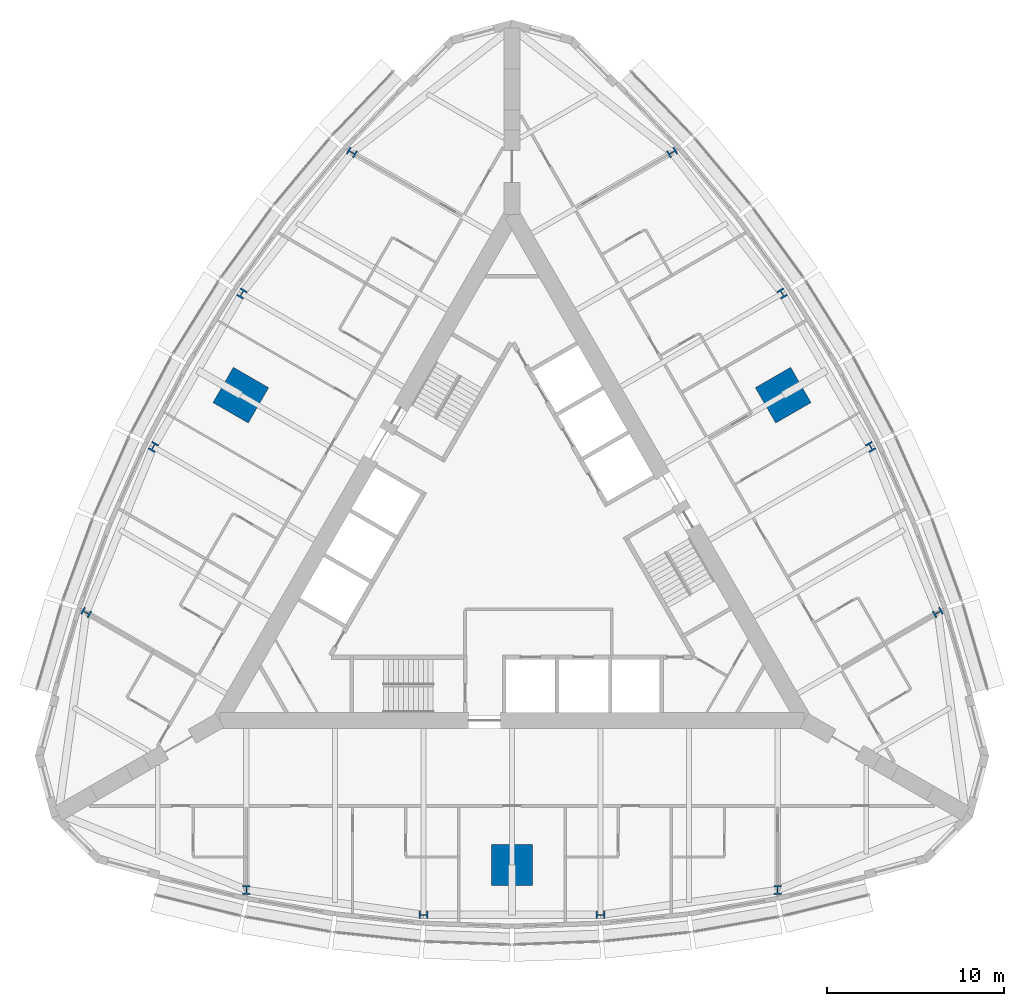
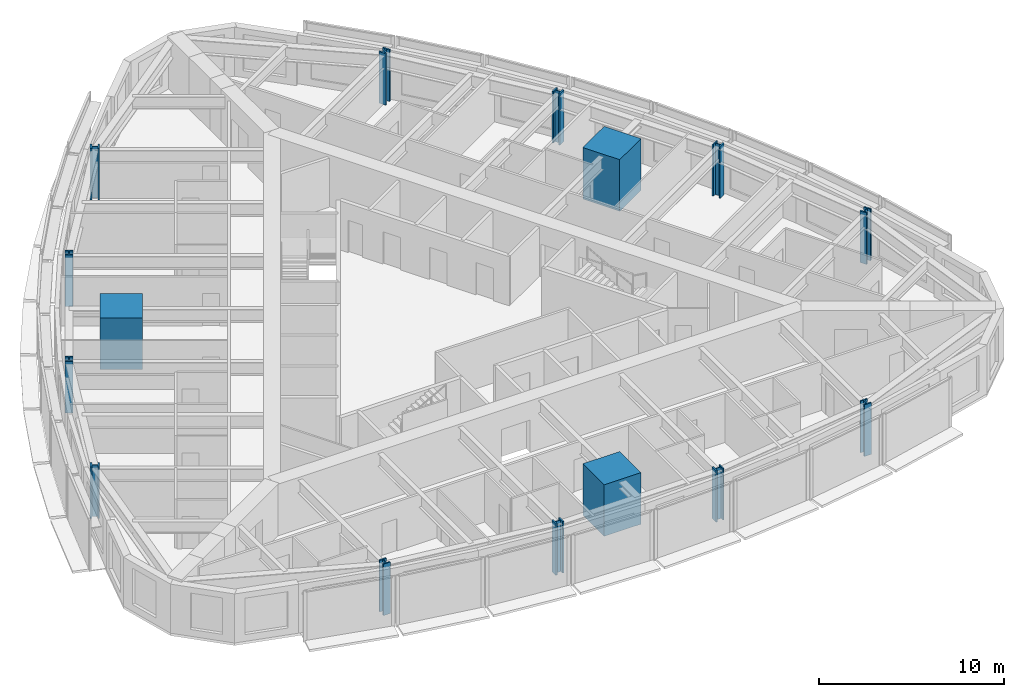
# One storey, part 1 of 14: 15 columns.
"""IFC4 building model written with IfcOpenShell, lengths in metres."""

from ifc_helpers import new_model, si_unit, direction, frame, origin, origin_2d, place, context, subcontext, project, spatial, rectangle, i_section, extrude, material, material_profile, profile_set, type_object, element, save


model = new_model("IFC4")

# Units and contexts
model_context = context("Model", 3, precision=1e-05, world=origin(), true_north=direction((0.0, 1.0)))
body_context = subcontext(model_context, "Body", "Model", "MODEL_VIEW")
ifc_project = project(units=[si_unit("LENGTHUNIT", "METRE"), si_unit("AREAUNIT", "SQUARE_METRE"), si_unit("VOLUMEUNIT", "CUBIC_METRE"), si_unit("PLANEANGLEUNIT", "RADIAN"), si_unit("MASSUNIT", "GRAM", prefix="KILO")], contexts=[model_context])

# Site, building, storey
site_placement = place(None, origin())
site = spatial("IfcSite", under=ifc_project, at=site_placement, CompositionType="ELEMENT")
building_placement = place(site_placement, origin())
building = spatial("IfcBuilding", under=site, at=building_placement, Name="Trikona Tower", CompositionType="ELEMENT")
storey_placement = place(building_placement, frame((0.0, 0.0, 165.699951171875)))
storey = spatial("IfcBuildingStorey", under=building, at=storey_placement, Name="L44", CompositionType="ELEMENT", Elevation=165.699951171875)

# Columns
ifc_material_1 = material(Name="Concrete f'c 10000 psi with encased steel section", Category="concrete")
ifc_material_profile_1 = material_profile(ifc_material_1, rectangle(XDim=2.300048828125, YDim=2.300048828125, at=origin_2d()), Name="MC2300")
ifc_profile_set_1 = profile_set([ifc_material_profile_1], Name="Concrete f'c 10000 psi with encased steel section")
column_type_1 = type_object("IfcColumnType", Name="Composite mega column 2300x2300", PredefinedType="COLUMN", material=ifc_profile_set_1)
for number, where, z_axis, x_axis, name in (
    (1, (0.0, -17.680419921875, 0.0), (0.0, 0.0, 1.0), (0.0, -1.0, 0.0), "Mega column MC1"),
    (2, (15.311767578125, 8.84033203125, 0.0), (0.0, 0.0, 1.0), (0.866025403784, 0.5, 0.0), "Mega column MC2"),
    (3, (-15.311767578125, 8.84033203125, 0.0), (0.0, 0.0, 1.0), (-0.866025403784, 0.5, 0.0), "Mega column MC3"),
):
    element("IfcColumn", number, at=place(storey_placement, frame(where, z_axis=z_axis, x_axis=x_axis)), inside=storey, type_object=column_type_1, Name=name, PredefinedType="COLUMN", context=body_context, shape_type="SweptSolid", body=[
        extrude(rectangle(XDim=2.300048828125, YDim=2.300048828125, at=origin_2d()), origin(), (0.0, 0.0, 1.0), 3.400146484375),
    ])
ifc_material_2 = material(Name="Steel ASTM A992 Grade 50", Category="steel")
ifc_material_profile_2 = material_profile(ifc_material_2, i_section(OverallWidth=0.431884765625, OverallDepth=0.497802734375, WebThickness=0.0556640625, FlangeThickness=0.0888671875, at=origin_2d()), Name="W14X500")
ifc_profile_set_2 = profile_set([ifc_material_profile_2], Name="Steel ASTM A992 Grade 50")
column_type_2 = type_object("IfcColumnType", Name="Steel column W14x500", PredefinedType="COLUMN", material=ifc_profile_set_2)
for number, where, z_axis, x_axis, name in (
    (4, (-15.0, -19.10009765625, 0.0), (0.0, 0.0, 1.0), (1.0, 0.0, 0.0), "Column F0m15"),
    (5, (-5.0, -20.500244140625, 0.0), (0.0, 0.0, 1.0), (0.0, -1.0, 0.0), "Column F0m5"),
    (6, (5.0, -20.500244140625, 0.0), (0.0, 0.0, 1.0), (0.0, -1.0, 0.0), "Column F0p5"),
    (7, (15.0, -19.10009765625, 0.0), (0.0, 0.0, 1.0), (1.0, 0.0, 0.0), "Column F0p15"),
    (8, (24.041259765625, -3.440185546875, 0.0), (0.0, 0.0, 1.0), (-0.5, 0.866025403784, 0.0), "Column F1m15"),
    (9, (20.253662109375, 5.919921875, 0.0), (0.0, 0.0, 1.0), (0.866025403784, 0.5, 0.0), "Column F1m5"),
    (10, (15.253662109375, 14.580078125, 0.0), (0.0, 0.0, 1.0), (0.866025403784, 0.5, 0.0), "Column F1p5"),
    (11, (9.041259765625, 22.54052734375, 0.0), (0.0, 0.0, 1.0), (-0.5, 0.866025403784, 0.0), "Column F1p15"),
    (12, (-9.041259765625, 22.54052734375, 0.0), (0.0, 0.0, 1.0), (-0.5, -0.866025403784, 0.0), "Column F2m15"),
    (13, (-15.253662109375, 14.580078125, 0.0), (0.0, 0.0, 1.0), (-0.866025403784, 0.5, 0.0), "Column F2m5"),
    (14, (-20.253662109375, 5.919921875, 0.0), (0.0, 0.0, 1.0), (-0.866025403784, 0.5, 0.0), "Column F2p5"),
    (15, (-24.041259765625, -3.440185546875, 0.0), (0.0, 0.0, 1.0), (-0.5, -0.866025403784, 0.0), "Column F2p15"),
):
    element("IfcColumn", number, at=place(storey_placement, frame(where, z_axis=z_axis, x_axis=x_axis)), inside=storey, type_object=column_type_2, Name=name, PredefinedType="COLUMN", context=body_context, shape_type="SweptSolid", body=[
        extrude(i_section(OverallWidth=0.431884765625, OverallDepth=0.497802734375, WebThickness=0.0556640625, FlangeThickness=0.0888671875, at=origin_2d()), origin(), (0.0, 0.0, 1.0), 3.400146484375),
    ])

save(model, "model.ifc")
